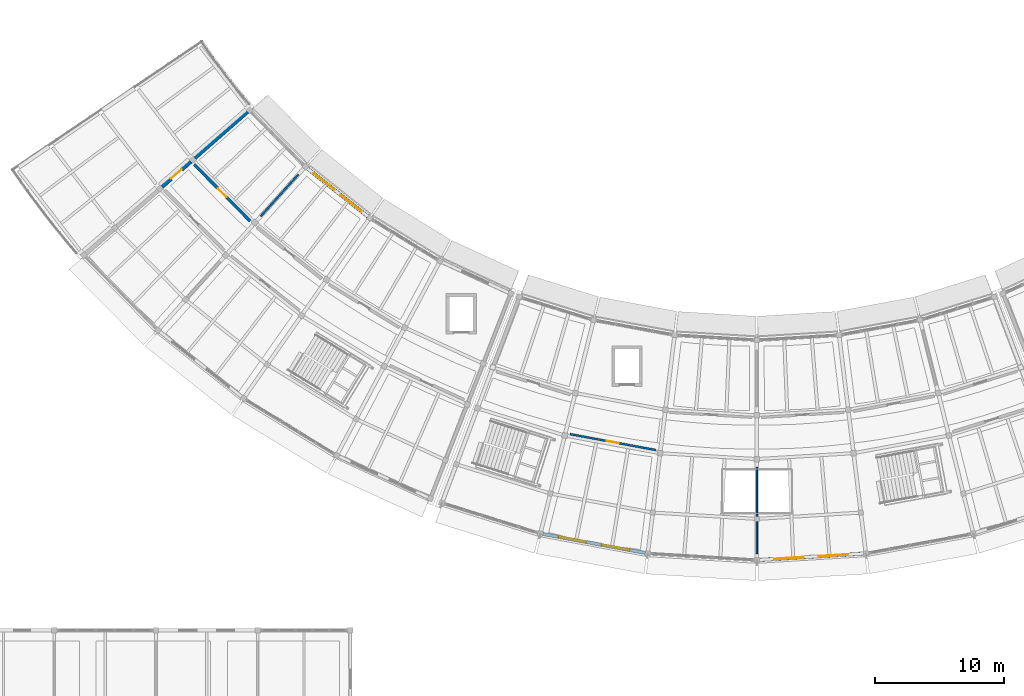
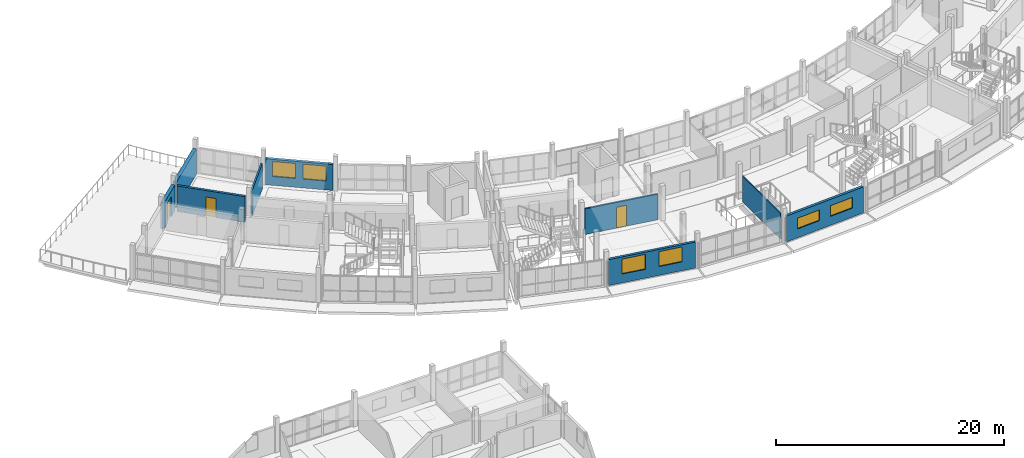
# One storey, part 54 of 66: 9 walls, 6 windows, 3 doors, 9 openings.
"""IFC4 building model written with IfcOpenShell, lengths in metres."""

from ifc_helpers import new_model, si_unit, direction, frame, frame_2d, origin, place, context, subcontext, project, spatial, rectangle, extrude, material, layer, layer_set, type_object, element, fill, save


model = new_model("IFC4")

# Units and contexts
model_context = context("Model", 3, precision=1e-05, world=origin(), true_north=direction((0.0, 1.0)))
body_context = subcontext(model_context, "Body", "Model", "MODEL_VIEW")
ifc_project = project(units=[si_unit("LENGTHUNIT", "METRE"), si_unit("AREAUNIT", "SQUARE_METRE"), si_unit("VOLUMEUNIT", "CUBIC_METRE"), si_unit("PLANEANGLEUNIT", "RADIAN"), si_unit("MASSUNIT", "GRAM", prefix="KILO")], contexts=[model_context])

# Site, building, storey
site_placement = place(None, origin())
site = spatial("IfcSite", under=ifc_project, at=site_placement, CompositionType="ELEMENT")
building_placement = place(site_placement, origin())
building = spatial("IfcBuilding", under=site, at=building_placement, Name="Caldaven Crescent School", CompositionType="ELEMENT")
storey_placement = place(building_placement, frame((0.0, 0.0, 8.159912109375)))
storey = spatial("IfcBuildingStorey", under=building, at=storey_placement, Name="L02", CompositionType="ELEMENT", Elevation=8.159912109375)

# Wall, openings, windows
ifc_material_1 = material(Name="Precast concrete C35/45", Category="concrete")
ifc_layer_1 = layer(ifc_material_1, 0.239990234375)
ifc_layer_set_1 = layer_set([ifc_layer_1], Name="Precast concrete C35/45")
wall_type_1 = type_object("IfcWallType", Name="WAL-EW05", PredefinedType="STANDARD", material=ifc_layer_set_1)
wall_1_placement = place(storey_placement, frame((71.369140625, 28.479736328125, 0.0), z_axis=(0.0, 0.0, 1.0), x_axis=(0.983254797115, -0.182236121422, 0.0)))
wall_1 = element("IfcWall", 1, at=wall_1_placement, inside=storey, type_object=wall_type_1, Name="EW-L02-172", PredefinedType="STANDARD", context=body_context, shape_type="SweptSolid", body=[
    extrude(rectangle(XDim=8.095703125, YDim=0.239990234375, at=frame_2d((4.0478515625, 0.0))), origin(), (0.0, 0.0, 1.0), 2.780029296875),
])
opening_1_placement = place(wall_1_placement, frame((1.245361328125, 0.0, 0.949951171875)))
opening_1 = element("IfcOpeningElement", 2, at=opening_1_placement, cuts=wall_1, Name="Opening W40", PredefinedType="OPENING", context=body_context, shape_type="SweptSolid", body=[
    extrude(rectangle(XDim=2.179931640625, YDim=1.60009765625, at=frame_2d((1.08984375, 0.800048828125))), frame((0.0, 0.1298828125, 0.0), z_axis=(0.0, -1.0, 0.0), x_axis=(1.0, 0.0, 0.0)), (0.0, 0.0, 1.0), 0.260009765625),
])
opening_2_placement = place(wall_1_placement, frame((4.670654296875, 0.0, 0.949951171875)))
opening_2 = element("IfcOpeningElement", 3, at=opening_2_placement, cuts=wall_1, Name="Opening W40", PredefinedType="OPENING", context=body_context, shape_type="SweptSolid", body=[
    extrude(rectangle(XDim=2.179931640625, YDim=1.60009765625, at=frame_2d((1.08984375, 0.800048828125))), frame((0.0, 0.1298828125, 0.0), z_axis=(0.0, -1.0, 0.0), x_axis=(1.0, 0.0, 0.0)), (0.0, 0.0, 1.0), 0.260009765625),
])
ifc_material_2 = material(Name="Thermally broken anodised aluminium AA 6063-T6 and low-E double glazing", Category="aluminium")
window_type_1 = type_object("IfcWindowType", Name="WIN-W40", PartitioningType="SINGLE_PANEL", PredefinedType="WINDOW", material=ifc_material_2)
window_1_placement = place(opening_1_placement, origin())
window_1 = element("IfcWindow", 4, at=window_1_placement, inside=storey, type_object=window_type_1, Name="WIN-L02-087-1", OverallHeight=1.60009765625, OverallWidth=2.179931640625, PartitioningType="SINGLE_PANEL", PredefinedType="WINDOW", context=body_context, shape_type="SweptSolid", body=[
    extrude(rectangle(XDim=2.179931640625, YDim=1.60009765625, at=frame_2d((1.08984375, 0.800048828125))), frame((0.0, 0.030029296875, 0.0), z_axis=(0.0, -1.0, 0.0), x_axis=(1.0, 0.0, 0.0)), (0.0, 0.0, 1.0), 0.06005859375),
])
fill(opening_1, window_1)
window_2_placement = place(opening_2_placement, origin())
window_2 = element("IfcWindow", 5, at=window_2_placement, inside=storey, type_object=window_type_1, Name="WIN-L02-087-2", OverallHeight=1.60009765625, OverallWidth=2.179931640625, PartitioningType="SINGLE_PANEL", PredefinedType="WINDOW", context=body_context, shape_type="SweptSolid", body=[
    extrude(rectangle(XDim=2.179931640625, YDim=1.60009765625, at=frame_2d((1.08984375, 0.800048828125))), frame((0.0, 0.030029296875, 0.0), z_axis=(0.0, -1.0, 0.0), x_axis=(1.0, 0.0, 0.0)), (0.0, 0.0, 1.0), 0.06005859375),
])
fill(opening_2, window_2)

ifc_layer_2 = layer(ifc_material_1, 0.251953125)
ifc_layer_set_2 = layer_set([ifc_layer_2], Name="Precast concrete C35/45")
wall_type_2 = type_object("IfcWallType", Name="WAL-EW06", PredefinedType="STANDARD", material=ifc_layer_set_2)
wall_2_placement = place(storey_placement, frame((88.197509765625, 26.462158203125, 0.0), z_axis=(0.0, 0.0, 1.0), x_axis=(0.998135572987, 0.061035874187, 0.0)))
wall_2 = element("IfcWall", 6, at=wall_2_placement, inside=storey, type_object=wall_type_2, Name="EW-L02-173", PredefinedType="STANDARD", context=body_context, shape_type="SweptSolid", body=[
    extrude(rectangle(XDim=8.095947265625, YDim=0.251953125, at=frame_2d((4.0478515625, 0.0))), origin(), (0.0, 0.0, 1.0), 2.780029296875),
])
opening_3_placement = place(wall_2_placement, frame((1.165283203125, 0.0, 0.949951171875)))
opening_3 = element("IfcOpeningElement", 7, at=opening_3_placement, cuts=wall_2, Name="Opening W41", PredefinedType="OPENING", context=body_context, shape_type="SweptSolid", body=[
    extrude(rectangle(XDim=2.300048828125, YDim=1.14990234375, at=frame_2d((1.14990234375, 0.574951171875))), frame((0.0, 0.135986328125, 0.0), z_axis=(0.0, -1.0, 0.0), x_axis=(1.0, 0.0, 0.0)), (0.0, 0.0, 1.0), 0.27197265625),
])
opening_4_placement = place(wall_2_placement, frame((4.630615234375, 0.0, 0.949951171875)))
opening_4 = element("IfcOpeningElement", 8, at=opening_4_placement, cuts=wall_2, Name="Opening W41", PredefinedType="OPENING", context=body_context, shape_type="SweptSolid", body=[
    extrude(rectangle(XDim=2.300048828125, YDim=1.14990234375, at=frame_2d((1.14990234375, 0.574951171875))), frame((0.0, 0.135986328125, 0.0), z_axis=(0.0, -1.0, 0.0), x_axis=(1.0, 0.0, 0.0)), (0.0, 0.0, 1.0), 0.27197265625),
])
window_type_2 = type_object("IfcWindowType", Name="WIN-W41", PartitioningType="SINGLE_PANEL", PredefinedType="WINDOW", material=ifc_material_2)
window_3_placement = place(opening_3_placement, origin())
window_3 = element("IfcWindow", 9, at=window_3_placement, inside=storey, type_object=window_type_2, Name="WIN-L02-088-1", OverallHeight=1.14990234375, OverallWidth=2.300048828125, PartitioningType="SINGLE_PANEL", PredefinedType="WINDOW", context=body_context, shape_type="SweptSolid", body=[
    extrude(rectangle(XDim=2.300048828125, YDim=1.14990234375, at=frame_2d((1.14990234375, 0.574951171875))), frame((0.0, 0.030029296875, 0.0), z_axis=(0.0, -1.0, 0.0), x_axis=(1.0, 0.0, 0.0)), (0.0, 0.0, 1.0), 0.06005859375),
])
fill(opening_3, window_3)
window_4_placement = place(opening_4_placement, origin())
window_4 = element("IfcWindow", 10, at=window_4_placement, inside=storey, type_object=window_type_2, Name="WIN-L02-088-2", OverallHeight=1.14990234375, OverallWidth=2.300048828125, PartitioningType="SINGLE_PANEL", PredefinedType="WINDOW", context=body_context, shape_type="SweptSolid", body=[
    extrude(rectangle(XDim=2.300048828125, YDim=1.14990234375, at=frame_2d((1.14990234375, 0.574951171875))), frame((0.0, 0.030029296875, 0.0), z_axis=(0.0, -1.0, 0.0), x_axis=(1.0, 0.0, 0.0)), (0.0, 0.0, 1.0), 0.06005859375),
])
fill(opening_4, window_4)

ifc_layer_3 = layer(ifc_material_1, 0.263916015625)
ifc_layer_set_3 = layer_set([ifc_layer_3], Name="Precast concrete C35/45")
wall_type_3 = type_object("IfcWallType", Name="WAL-EW07", PredefinedType="STANDARD", material=ifc_layer_set_3)
wall_3_placement = place(storey_placement, frame((53.05908203125, 56.898681640625, 0.0), z_axis=(0.0, 0.0, 1.0), x_axis=(0.78261410235, -0.622507162049, 0.0)))
wall_3 = element("IfcWall", 11, at=wall_3_placement, inside=storey, type_object=wall_type_3, Name="EW-L02-160", PredefinedType="STANDARD", context=body_context, shape_type="SweptSolid", body=[
    extrude(rectangle(XDim=6.008056640625, YDim=0.263916015625, at=frame_2d((3.00390625, 0.0))), origin(), (0.0, 0.0, 1.0), 2.780029296875),
])
opening_5_placement = place(wall_3_placement, frame((0.62939453125, 0.0, 0.949951171875)))
opening_5 = element("IfcOpeningElement", 12, at=opening_5_placement, cuts=wall_3, Name="Opening W36", PredefinedType="OPENING", context=body_context, shape_type="SweptSolid", body=[
    extrude(rectangle(XDim=2.06005859375, YDim=1.60009765625, at=frame_2d((1.030029296875, 0.800048828125))), frame((0.0, 0.141845703125, 0.0), z_axis=(0.0, -1.0, 0.0), x_axis=(1.0, 0.0, 0.0)), (0.0, 0.0, 1.0), 0.283935546875),
])
opening_6_placement = place(wall_3_placement, frame((3.318603515625, 0.0, 0.949951171875)))
opening_6 = element("IfcOpeningElement", 13, at=opening_6_placement, cuts=wall_3, Name="Opening W36", PredefinedType="OPENING", context=body_context, shape_type="SweptSolid", body=[
    extrude(rectangle(XDim=2.06005859375, YDim=1.60009765625, at=frame_2d((1.030029296875, 0.800048828125))), frame((0.0, 0.141845703125, 0.0), z_axis=(0.0, -1.0, 0.0), x_axis=(1.0, 0.0, 0.0)), (0.0, 0.0, 1.0), 0.283935546875),
])
window_type_3 = type_object("IfcWindowType", Name="WIN-W36", PartitioningType="SINGLE_PANEL", PredefinedType="WINDOW", material=ifc_material_2)
window_5_placement = place(opening_5_placement, origin())
window_5 = element("IfcWindow", 14, at=window_5_placement, inside=storey, type_object=window_type_3, Name="WIN-L02-083-1", OverallHeight=1.60009765625, OverallWidth=2.06005859375, PartitioningType="SINGLE_PANEL", PredefinedType="WINDOW", context=body_context, shape_type="SweptSolid", body=[
    extrude(rectangle(XDim=2.06005859375, YDim=1.60009765625, at=frame_2d((1.030029296875, 0.800048828125))), frame((0.0, 0.030029296875, 0.0), z_axis=(0.0, -1.0, 0.0), x_axis=(1.0, 0.0, 0.0)), (0.0, 0.0, 1.0), 0.06005859375),
])
fill(opening_5, window_5)
window_6_placement = place(opening_6_placement, origin())
window_6 = element("IfcWindow", 15, at=window_6_placement, inside=storey, type_object=window_type_3, Name="WIN-L02-083-2", OverallHeight=1.60009765625, OverallWidth=2.06005859375, PartitioningType="SINGLE_PANEL", PredefinedType="WINDOW", context=body_context, shape_type="SweptSolid", body=[
    extrude(rectangle(XDim=2.06005859375, YDim=1.60009765625, at=frame_2d((1.030029296875, 0.800048828125))), frame((0.0, 0.030029296875, 0.0), z_axis=(0.0, -1.0, 0.0), x_axis=(1.0, 0.0, 0.0)), (0.0, 0.0, 1.0), 0.06005859375),
])
fill(opening_6, window_6)

# Wall
ifc_layer_4 = layer(ifc_material_1, 0.31201171875)
ifc_layer_set_4 = layer_set([ifc_layer_4], Name="Precast concrete C35/45")
wall_type_4 = type_object("IfcWallType", Name="WAL-EW11", PredefinedType="STANDARD", material=ifc_layer_set_4)
wall_4_placement = place(storey_placement, frame((48.407958984375, 61.29736328125, 0.0), z_axis=(0.0, 0.0, 1.0), x_axis=(-0.752014754072, -0.65914627334, 0.0)))
element("IfcWall", 16, at=wall_4_placement, inside=storey, type_object=wall_type_4, Name="EW-L02-164", PredefinedType="STANDARD", context=body_context, shape_type="SweptSolid", body=[
    extrude(rectangle(XDim=5.439208984375, YDim=0.31201171875, at=frame_2d((2.7197265625, 0.0))), origin(), (0.0, 0.0, 1.0), 2.780029296875),
])

# Wall, opening, door
ifc_layer_5 = layer(ifc_material_1, 0.323974609375)
ifc_layer_set_5 = layer_set([ifc_layer_5], Name="Precast concrete C35/45")
wall_type_5 = type_object("IfcWallType", Name="WAL-EW12", PredefinedType="STANDARD", material=ifc_layer_set_5)
wall_5_placement = place(storey_placement, frame((43.997314453125, 57.431396484375, 0.0), z_axis=(0.0, 0.0, 1.0), x_axis=(-0.751966127371, -0.659201747029, 0.0)))
wall_5 = element("IfcWall", 17, at=wall_5_placement, inside=storey, type_object=wall_type_5, Name="EW-L02-165", PredefinedType="STANDARD", context=body_context, shape_type="SweptSolid", body=[
    extrude(rectangle(XDim=2.973876953125, YDim=0.323974609375, at=frame_2d((1.48681640625, 0.0))), origin(), (0.0, 0.0, 1.0), 2.780029296875),
])
opening_7_placement = place(wall_5_placement, frame((0.95703125, 0.0, 0.0)))
opening_7 = element("IfcOpeningElement", 18, at=opening_7_placement, cuts=wall_5, Name="Opening D-L02-E030", PredefinedType="OPENING", context=body_context, shape_type="SweptSolid", body=[
    extrude(rectangle(XDim=1.06005859375, YDim=2.179931640625, at=frame_2d((0.530029296875, 1.08984375))), frame((0.0, 0.171875, 0.0), z_axis=(0.0, -1.0, 0.0), x_axis=(1.0, 0.0, 0.0)), (0.0, 0.0, 1.0), 0.343994140625),
])
ifc_material_3 = material(Name="Thermally broken bronze-anodised aluminium and laminated safety glass", Category="aluminium")
door_type_1 = type_object("IfcDoorType", Name="DOR-EX03", OperationType="NOTDEFINED", PredefinedType="DOOR", material=ifc_material_3)
door_1_placement = place(opening_7_placement, frame((1.06005859375, 0.0, 0.0), z_axis=(0.0, 0.0, 1.0), x_axis=(-1.0, 0.0, 0.0)))
door_1 = element("IfcDoor", 19, at=door_1_placement, inside=storey, type_object=door_type_1, Name="DOR-EXT-L02-030", OperationType="SINGLE_SWING_LEFT", OverallHeight=2.179931640625, OverallWidth=1.06005859375, PredefinedType="DOOR", context=body_context, shape_type="SweptSolid", body=[
    extrude(rectangle(XDim=1.06005859375, YDim=2.179931640625, at=frame_2d((0.530029296875, 1.08984375))), frame((0.0, 0.02490234375, 0.0), z_axis=(0.0, -1.0, 0.0), x_axis=(1.0, 0.0, 0.0)), (0.0, 0.0, 1.0), 0.050048828125),
])
fill(opening_7, door_1)

ifc_material_4 = material(Name="Acoustic timber-stud and fire-rated gypsum board assembly", Category="wood")
ifc_layer_6 = layer(ifc_material_4, 0.159912109375)
ifc_layer_set_6 = layer_set([ifc_layer_6], Name="Acoustic timber-stud and fire-rated gypsum board assembly")
wall_type_6 = type_object("IfcWallType", Name="WAL-IW01", PredefinedType="STANDARD", material=ifc_layer_set_6)
wall_6_placement = place(storey_placement, frame((73.470947265625, 36.24169921875, 0.0), z_axis=(0.0, 0.0, 1.0), x_axis=(0.983257442509, -0.182221847619, 0.0)))
wall_6 = element("IfcWall", 20, at=wall_6_placement, inside=storey, type_object=wall_type_6, Name="IW-L02-0240", PredefinedType="STANDARD", context=body_context, shape_type="SweptSolid", body=[
    extrude(rectangle(XDim=6.79150390625, YDim=0.159912109375, at=frame_2d((3.395751953125, 0.0))), origin(), (0.0, 0.0, 1.0), 2.75),
])
opening_8_placement = place(wall_6_placement, frame((2.92578125, 0.0, 0.0)))
opening_8 = element("IfcOpeningElement", 21, at=opening_8_placement, cuts=wall_6, Name="Opening D-L02-I171", PredefinedType="OPENING", context=body_context, shape_type="SweptSolid", body=[
    extrude(rectangle(XDim=0.93994140625, YDim=2.239990234375, at=frame_2d((0.469970703125, 1.1201171875))), frame((0.0, 0.08984375, 0.0), z_axis=(0.0, -1.0, 0.0), x_axis=(1.0, 0.0, 0.0)), (0.0, 0.0, 1.0), 0.179931640625),
])
ifc_material_5 = material(Name="Solid-core Pino Radiata acoustic timber leaf in steel frame", Category="steel")
door_type_2 = type_object("IfcDoorType", Name="DOR-ID12", OperationType="NOTDEFINED", PredefinedType="DOOR", material=ifc_material_5)
door_2_placement = place(opening_8_placement, origin())
door_2 = element("IfcDoor", 22, at=door_2_placement, inside=storey, type_object=door_type_2, Name="DOR-INT-L02-0171", OperationType="SINGLE_SWING_RIGHT", OverallHeight=2.239990234375, OverallWidth=0.93994140625, PredefinedType="DOOR", context=body_context, shape_type="SweptSolid", body=[
    extrude(rectangle(XDim=0.93994140625, YDim=2.239990234375, at=frame_2d((0.469970703125, 1.1201171875))), frame((0.0, 0.02490234375, 0.0), z_axis=(0.0, -1.0, 0.0), x_axis=(1.0, 0.0, 0.0)), (0.0, 0.0, 1.0), 0.050048828125),
])
fill(opening_8, door_2)

ifc_layer_7 = layer(ifc_material_4, 0.22998046875)
ifc_layer_set_7 = layer_set([ifc_layer_7], Name="Acoustic timber-stud and fire-rated gypsum board assembly")
wall_type_7 = type_object("IfcWallType", Name="WAL-IW08", PredefinedType="STANDARD", material=ifc_layer_set_7)
wall_7_placement = place(storey_placement, frame((44.275146484375, 57.19677734375, 0.0), z_axis=(0.0, 0.0, 1.0), x_axis=(0.702370898593, -0.7118111553, 0.0)))
wall_7 = element("IfcWall", 23, at=wall_7_placement, inside=storey, type_object=wall_type_7, Name="IW-L02-0231", PredefinedType="STANDARD", context=body_context, shape_type="SweptSolid", body=[
    extrude(rectangle(XDim=6.180908203125, YDim=0.22998046875, at=frame_2d((3.09033203125, 0.0))), origin(), (0.0, 0.0, 1.0), 2.75),
])
opening_9_placement = place(wall_7_placement, frame((2.640380859375, 0.0, 0.0)))
opening_9 = element("IfcOpeningElement", 24, at=opening_9_placement, cuts=wall_7, Name="Opening D-L02-I164", PredefinedType="OPENING", context=body_context, shape_type="SweptSolid", body=[
    extrude(rectangle(XDim=0.89990234375, YDim=2.06005859375, at=frame_2d((0.449951171875, 1.030029296875))), frame((0.0, 0.125, 0.0), z_axis=(0.0, -1.0, 0.0), x_axis=(1.0, 0.0, 0.0)), (0.0, 0.0, 1.0), 0.25),
])
door_type_3 = type_object("IfcDoorType", Name="DOR-ID05", OperationType="NOTDEFINED", PredefinedType="DOOR", material=ifc_material_5)
door_3_placement = place(opening_9_placement, frame((0.89990234375, 0.0, 0.0), z_axis=(0.0, 0.0, 1.0), x_axis=(-1.0, 0.0, 0.0)))
door_3 = element("IfcDoor", 25, at=door_3_placement, inside=storey, type_object=door_type_3, Name="DOR-INT-L02-0164", OperationType="SINGLE_SWING_LEFT", OverallHeight=2.06005859375, OverallWidth=0.89990234375, PredefinedType="DOOR", context=body_context, shape_type="SweptSolid", body=[
    extrude(rectangle(XDim=0.89990234375, YDim=2.06005859375, at=frame_2d((0.449951171875, 1.030029296875))), frame((0.0, 0.02490234375, 0.0), z_axis=(0.0, -1.0, 0.0), x_axis=(1.0, 0.0, 0.0)), (0.0, 0.0, 1.0), 0.050048828125),
])
fill(opening_9, door_3)

# Walls
ifc_material_6 = material(Name="Acoustic double-layer gypsum partition on galvanised steel studs", Category="steel")
ifc_layer_8 = layer(ifc_material_6, 0.110107421875)
ifc_layer_set_8 = layer_set([ifc_layer_8], Name="Acoustic double-layer gypsum partition on galvanised steel studs")
wall_type_8 = type_object("IfcWallType", Name="WAL-PT05", PredefinedType="PARTITIONING", material=ifc_layer_set_8)
wall_8_placement = place(storey_placement, frame((88.0, 33.64990234375, 0.0), z_axis=(0.0, 0.0, 1.0), x_axis=(0.0, -1.0, 0.0)))
element("IfcWall", 26, at=wall_8_placement, inside=storey, type_object=wall_type_8, Name="IW-L02-0244", PredefinedType="PARTITIONING", context=body_context, shape_type="SweptSolid", body=[
    extrude(rectangle(XDim=6.699951171875, YDim=0.110107421875, at=frame_2d((3.35009765625, 0.0))), origin(), (0.0, 0.0, 1.0), 2.75),
])
ifc_layer_9 = layer(ifc_material_6, 0.152099609375)
ifc_layer_set_9 = layer_set([ifc_layer_9], Name="Acoustic double-layer gypsum partition on galvanised steel studs")
wall_type_9 = type_object("IfcWallType", Name="WAL-PT12", PredefinedType="PARTITIONING", material=ifc_layer_set_9)
wall_9_placement = place(storey_placement, frame((52.368896484375, 56.427490234375, 0.0), z_axis=(0.0, 0.0, 1.0), x_axis=(-0.669157836149, -0.743120306761, 0.0)))
element("IfcWall", 27, at=wall_9_placement, inside=storey, type_object=wall_type_9, Name="IW-L02-0235", PredefinedType="PARTITIONING", context=body_context, shape_type="SweptSolid", body=[
    extrude(rectangle(XDim=4.400146484375, YDim=0.152099609375, at=frame_2d((2.2001953125, 0.0))), origin(), (0.0, 0.0, 1.0), 2.75),
])

save(model, "model.ifc")
